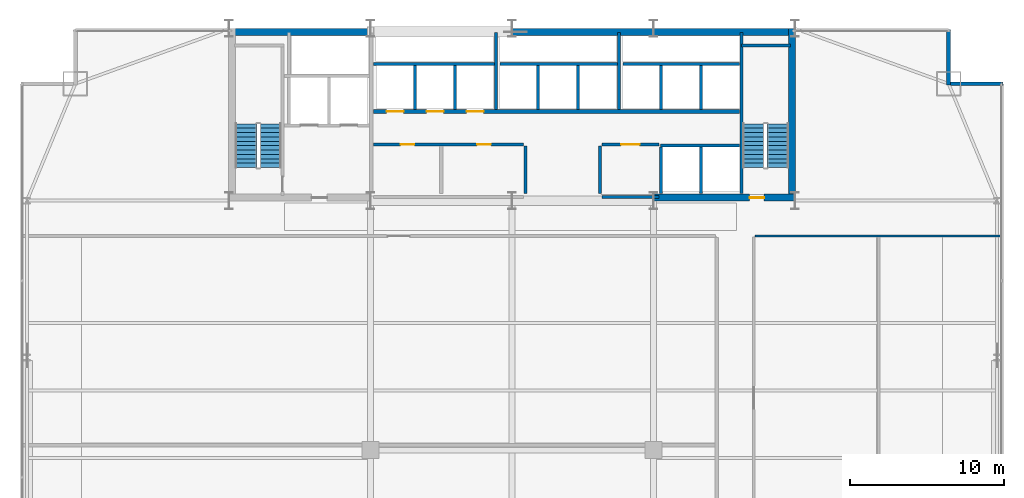
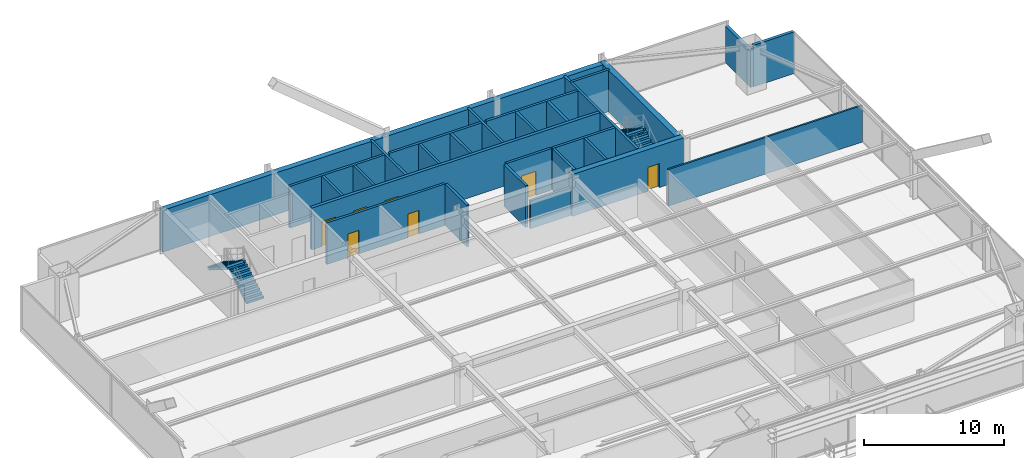
# One storey, part 31 of 34: 28 walls, 7 doors, 4 stair flights, 7 openings, 2 elements without a shape of their own.
"""IFC4 building model written with IfcOpenShell, lengths in metres."""

import ifcopenshell
import ifcopenshell.guid

model = None  # the IFC model being written
_history = None  # IfcOwnerHistory: only IFC2X3 demands one
_inside = {}  # id of a spatial element -> (the spatial element, [elements in it])
_under = {}  # id of a project, library or spatial element -> (it, [spatial elements below it])
_declared = {}  # id of a project -> (the project, [libraries it declares])
_typed = {}  # id of a type object -> (the type object, [elements of that type])
_made_of = {}  # id of a material, layer set ... -> (it, [elements and type objects made of it])


def new_model(schema):
    """Start an empty IFC model of exactly this schema.

    Asked for "IFC4X3", IfcOpenShell would pick the latest addendum, in which some entities
    have other attributes; the version numbers below select the first issue.
    IFC2X3 requires an IfcOwnerHistory on every rooted entity: one is made here for all.
    """
    global model, _history
    if schema == "IFC4X3":
        model = ifcopenshell.file(schema_version=(4, 3, 0, 0))
    else:
        model = ifcopenshell.file(schema=schema)
    _inside.clear()
    _under.clear()
    _declared.clear()
    _typed.clear()
    _made_of.clear()
    _history = None
    if model.schema == "IFC2X3":
        org = make("IfcOrganization", Name="unknown")
        user = make(
            "IfcPersonAndOrganization",
            ThePerson=make("IfcPerson", FamilyName="unknown"),
            TheOrganization=org,
        )
        app = make(
            "IfcApplication",
            ApplicationDeveloper=org,
            Version="unknown",
            ApplicationFullName="unknown",
            ApplicationIdentifier="unknown",
        )
        _history = make(
            "IfcOwnerHistory",
            OwningUser=user,
            OwningApplication=app,
            ChangeAction="ADDED",
            CreationDate=0,
        )
    return model


def make(cls, **values):
    """One entity of the class cls with the attributes given. An attribute that is None is left unset."""
    return model.create_entity(
        cls, **{name: value for name, value in values.items() if value is not None}
    )


def rooted(cls, **values):
    """An entity with a GlobalId (a new one), such as an element, a storey or a relation."""
    return make(cls, GlobalId=ifcopenshell.guid.new(), OwnerHistory=_history, **values)


def si_unit(unit_type, name, prefix=None):
    """IfcSIUnit, for example si_unit("LENGTHUNIT", "METRE", prefix="MILLI")."""
    return make("IfcSIUnit", UnitType=unit_type, Prefix=prefix, Name=name)


def assignment(units):
    """IfcUnitAssignment: the units of a project."""
    return None if units is None else make("IfcUnitAssignment", Units=units)


def point(xyz):
    """IfcCartesianPoint."""
    return None if xyz is None else make("IfcCartesianPoint", Coordinates=xyz)


def direction(xyz):
    """IfcDirection."""
    return None if xyz is None else make("IfcDirection", DirectionRatios=xyz)


def frame(location, z_axis=None, x_axis=None):
    """IfcAxis2Placement3D, a coordinate frame: its origin and axes. An axis left out is left unset."""
    return make(
        "IfcAxis2Placement3D",
        Location=point(location),
        Axis=direction(z_axis),
        RefDirection=direction(x_axis),
    )


def frame_2d(location, x_axis=None):
    """IfcAxis2Placement2D, a coordinate frame in the plane: its origin and x axis."""
    return make(
        "IfcAxis2Placement2D", Location=point(location), RefDirection=direction(x_axis)
    )


def origin():
    """The frame at (0, 0, 0) with its axes left unset."""
    return frame((0.0, 0.0, 0.0))


def place(relative_to, where):
    """IfcLocalPlacement: puts the frame where relative to a parent placement (None: the world)."""
    return make(
        "IfcLocalPlacement", PlacementRelTo=relative_to, RelativePlacement=where
    )


def context(
    kind, dimensions, precision=None, world=None, true_north=None, identifier=None
):
    """IfcGeometricRepresentationContext, for example the 3D "Model" context."""
    return make(
        "IfcGeometricRepresentationContext",
        ContextIdentifier=identifier,
        ContextType=kind,
        CoordinateSpaceDimension=dimensions,
        Precision=precision,
        WorldCoordinateSystem=world,
        TrueNorth=true_north,
    )


def subcontext(parent, identifier, kind, view, scale=None):
    """IfcGeometricRepresentationSubContext, for example "Body" below "Model"."""
    return make(
        "IfcGeometricRepresentationSubContext",
        ContextIdentifier=identifier,
        ContextType=kind,
        ParentContext=parent,
        TargetScale=scale,
        TargetView=view,
    )


def project(units=None, contexts=None):
    """IfcProject with its units and contexts."""
    return rooted(
        "IfcProject",
        Name="project",
        RepresentationContexts=contexts,
        UnitsInContext=assignment(units),
    )


def spatial(cls, under=None, at=None, **own):
    """A site, building, storey or space (cls), placed at a placement, below another one or the project."""
    s = rooted(cls, ObjectPlacement=at, **own)
    if under is not None:
        _under.setdefault(under.id(), (under, []))[1].append(s)
    return s


def polyline(points):
    """IfcPolyline through the points."""
    return make("IfcPolyline", Points=[point(p) for p in points])


def profile(cls, at=None, kind="AREA", **sizes):
    """A parametric profile (cls). Its sizes go by their IFC names, for example OverallWidth=200.0."""
    return make(cls, ProfileType=kind, Position=at, **sizes)


def rectangle(**sizes):
    """IfcRectangleProfileDef."""
    return profile("IfcRectangleProfileDef", **sizes)


def outline(outer, holes=None, kind="AREA"):
    """IfcArbitraryClosedProfileDef: a profile drawn as a closed curve; with holes, ...WithVoids."""
    if holes is None:
        return make("IfcArbitraryClosedProfileDef", ProfileType=kind, OuterCurve=outer)
    return make(
        "IfcArbitraryProfileDefWithVoids",
        ProfileType=kind,
        OuterCurve=outer,
        InnerCurves=holes,
    )


def extrude(swept, where, along, depth):
    """IfcExtrudedAreaSolid: the profile swept, set in the frame where, extruded along a direction by depth."""
    return make(
        "IfcExtrudedAreaSolid",
        SweptArea=swept,
        Position=where,
        ExtrudedDirection=direction(along),
        Depth=depth,
    )


def shape(context_of_items, identifier, shape_type, items):
    """IfcShapeRepresentation: the items that make up one representation, for example the "Body"."""
    return make(
        "IfcShapeRepresentation",
        ContextOfItems=context_of_items,
        RepresentationIdentifier=identifier,
        RepresentationType=shape_type,
        Items=items,
    )


def source(mapping_origin, context_of_items, identifier, shape_type, items):
    """IfcRepresentationMap: a shape defined once, which mapped items show again and again."""
    return make(
        "IfcRepresentationMap",
        MappingOrigin=mapping_origin,
        MappedRepresentation=shape(context_of_items, identifier, shape_type, items),
    )


def transform(
    local_origin,
    x_axis=None,
    y_axis=None,
    z_axis=None,
    scale=None,
    scale2=None,
    scale3=None,
    uniform=True,
):
    """IfcCartesianTransformationOperator3D, or its non-uniform kind. x_axis, y_axis, z_axis: its Axis1, 2, 3."""
    if uniform:
        return make(
            "IfcCartesianTransformationOperator3D",
            Axis1=direction(x_axis),
            Axis2=direction(y_axis),
            LocalOrigin=point(local_origin),
            Scale=scale,
            Axis3=direction(z_axis),
        )
    return make(
        "IfcCartesianTransformationOperator3DnonUniform",
        Axis1=direction(x_axis),
        Axis2=direction(y_axis),
        LocalOrigin=point(local_origin),
        Scale=scale,
        Axis3=direction(z_axis),
        Scale2=scale2,
        Scale3=scale3,
    )


def mapped(mapping_source, mapping_target):
    """IfcMappedItem: shows the shape of a source again, moved by a transform."""
    return make(
        "IfcMappedItem", MappingSource=mapping_source, MappingTarget=mapping_target
    )


def material(Name=None, Category=None):
    """IfcMaterial."""
    return make("IfcMaterial", Name=Name, Category=Category)


def layer(
    of_material, thickness, ventilated=None, Name=None, Category=None, Priority=None
):
    """IfcMaterialLayer: one layer of a wall or slab, of a material (None: an air gap)."""
    return make(
        "IfcMaterialLayer",
        Material=of_material,
        LayerThickness=thickness,
        IsVentilated=ventilated,
        Name=Name,
        Category=Category,
        Priority=Priority,
    )


def layer_set(layers, Name=None):
    """IfcMaterialLayerSet."""
    return make("IfcMaterialLayerSet", MaterialLayers=layers, LayerSetName=Name)


def made_of(thing, what):
    """Note that an element or type object is made of a material, layer set ...; save() writes the relation."""
    if what is not None:
        _made_of.setdefault(what.id(), (what, []))[1].append(thing)
    return thing


def type_object(cls, material=None, **own):
    """A type object (cls), such as IfcWallType, which elements share."""
    return made_of(rooted(cls, **own), material)


def type_shapes(of_type, sources):
    """Give a type object the sources (RepresentationMaps) that its elements show as mapped items."""
    of_type.RepresentationMaps = sources


def element(
    cls,
    number,
    at=None,
    inside=None,
    cuts=None,
    type_object=None,
    material=None,
    context=None,
    identifier="Body",
    shape_type=None,
    held_by="IfcProductDefinitionShape",
    body=None,
    shapes=None,
    **own,
):
    """One element of the class cls, such as IfcWall. Its Tag is "e" and its number.

    at: its placement. inside: the storey or other place that contains it. cuts: it is an
    opening in that element (IfcRelVoidsElement). A single representation is given by context,
    identifier, shape_type and body (its items); several are given by shapes. held_by: the class
    of the entity that holds the representations. save() writes the other relations.
    """
    e = rooted(cls, Tag="e%d" % number, ObjectPlacement=at, **own)
    if body is not None:
        shapes = [shape(context, identifier, shape_type, body)]
    if shapes is not None:
        e.Representation = make(held_by, Representations=shapes)
    if inside is not None:
        _inside.setdefault(inside.id(), (inside, []))[1].append(e)
    if cuts is not None:
        rooted(
            "IfcRelVoidsElement", RelatingBuildingElement=cuts, RelatedOpeningElement=e
        )
    if type_object is not None:
        _typed.setdefault(type_object.id(), (type_object, []))[1].append(e)
    return made_of(e, material)


def fill(opening, filler):
    """IfcRelFillsElement: the door or window that sits in an opening."""
    return rooted(
        "IfcRelFillsElement",
        RelatingOpeningElement=opening,
        RelatedBuildingElement=filler,
    )


def aggregate(whole, parts):
    """IfcRelAggregates: a whole, such as a stair, and the parts it consists of."""
    return rooted("IfcRelAggregates", RelatingObject=whole, RelatedObjects=parts)


def save(model, path):
    """Write the relations noted so far, then the file.

    IfcRelAggregates (storeys below a building ...), IfcRelContainedInSpatialStructure (elements
    in a storey), IfcRelDefinesByType, IfcRelAssociatesMaterial and IfcRelDeclares: one each for
    every whole, place, type object, material and project.
    """
    for whole, parts in _under.values():
        aggregate(whole, parts)
    for where, things in _inside.values():
        rooted(
            "IfcRelContainedInSpatialStructure",
            RelatedElements=things,
            RelatingStructure=where,
        )
    for kind, things in _typed.values():
        rooted("IfcRelDefinesByType", RelatedObjects=things, RelatingType=kind)
    for what, things in _made_of.values():
        rooted("IfcRelAssociatesMaterial", RelatedObjects=things, RelatingMaterial=what)
    for by, libraries in _declared.values():
        rooted("IfcRelDeclares", RelatingContext=by, RelatedDefinitions=libraries)
    model.write(path)


model = new_model("IFC4")

# Units and contexts
model_context = context("Model", 3, precision=1e-05, world=origin(), true_north=direction((0.0, 1.0)))
body_context = subcontext(model_context, "Body", "Model", "MODEL_VIEW")
ifc_project = project(units=[si_unit("LENGTHUNIT", "METRE"), si_unit("AREAUNIT", "SQUARE_METRE"), si_unit("VOLUMEUNIT", "CUBIC_METRE"), si_unit("PLANEANGLEUNIT", "RADIAN"), si_unit("MASSUNIT", "GRAM", prefix="KILO")], contexts=[model_context])

# Site, building, storey
site_placement = place(None, origin())
site = spatial("IfcSite", under=ifc_project, at=site_placement, CompositionType="ELEMENT")
building_placement = place(site_placement, origin())
building = spatial("IfcBuilding", under=site, at=building_placement, Name="Varnel Quay Broadcast Tower", CompositionType="ELEMENT")
storey_placement = place(building_placement, frame((0.0, 0.0, 47.10009765625)))
storey = spatial("IfcBuildingStorey", under=building, at=storey_placement, Name="L10", CompositionType="ELEMENT", Elevation=47.10009765625)

# Walls
ifc_material_1 = material(Name="Concrete CSA A23.3 C50/60", Category="concrete")
ifc_layer_1 = layer(ifc_material_1, 0.199951171875, Name="Concrete CSA A23.3 C50/60")
ifc_layer_set_1 = layer_set([ifc_layer_1], Name="Concrete CSA A23.3 C50/60")
wall_type_1 = type_object("IfcWallType", Name="Wall_CoreShaftShear200", PredefinedType="SHEAR", material=ifc_layer_set_1)
wall_1_placement = place(storey_placement, frame((48.919921875, 36.050048828125, 0.0), z_axis=(0.0, 0.0, 1.0), x_axis=(0.0, 1.0, 0.0)))
element("IfcWall", 1, at=wall_1_placement, inside=storey, type_object=wall_type_1, Name="L10 Stair 2 West Structural Wall", PredefinedType="SHEAR", context=body_context, shape_type="SweptSolid", body=[
    extrude(rectangle(XDim=10.5, YDim=0.199951171875, at=frame_2d((5.25, 0.0))), origin(), (0.0, 0.0, 1.0), 3.64990234375),
])
wall_2_placement = place(storey_placement, frame((48.919921875, 45.679931640625, 0.0), z_axis=(0.0, 0.0, 1.0), x_axis=(1.0, 0.0, 0.0)))
element("IfcWall", 2, at=wall_2_placement, inside=storey, type_object=wall_type_1, Name="L10 Stair 2 North Structural Wall", PredefinedType="SHEAR", context=body_context, shape_type="SweptSolid", body=[
    extrude(rectangle(XDim=3.18017578125, YDim=0.199951171875, at=frame_2d((1.590087890625, 0.0))), origin(), (0.0, 0.0, 1.0), 3.64990234375),
])
wall_3_placement = place(storey_placement, frame((24.97998046875, 44.5, 0.0), z_axis=(0.0, 0.0, 1.0), x_axis=(1.0, 0.0, 0.0)))
element("IfcWall", 3, at=wall_3_placement, inside=storey, type_object=wall_type_1, Name="L10 Low-Rise Lift Shaft Rear Wall", PredefinedType="SHEAR", context=body_context, shape_type="SweptSolid", body=[
    extrude(rectangle(XDim=7.8701171875, YDim=0.199951171875, at=frame_2d((3.93505859375, 0.0))), origin(), (0.0, 0.0, 1.0), 3.64990234375),
])
for number, where, z_axis, x_axis, name in (
    (4, (27.699951171875, 41.530029296875, 0.0), (0.0, 0.0, 1.0), (0.0, 1.0, 0.0), "L10 Low-Rise Lift Shaft Divider 1"),
    (5, (30.300048828125, 41.530029296875, 0.0), (0.0, 0.0, 1.0), (0.0, 1.0, 0.0), "L10 Low-Rise Lift Shaft Divider 2"),
):
    element("IfcWall", number, at=place(storey_placement, frame(where, z_axis=z_axis, x_axis=x_axis)), inside=storey, type_object=wall_type_1, Name=name, PredefinedType="SHEAR", context=body_context, shape_type="SweptSolid", body=[
        extrude(rectangle(XDim=2.869873046875, YDim=0.199951171875, at=frame_2d((1.43505859375, 0.0))), origin(), (0.0, 0.0, 1.0), 3.64990234375),
    ])
wall_4_placement = place(storey_placement, frame((32.949951171875, 41.530029296875, 0.0), z_axis=(0.0, 0.0, 1.0), x_axis=(0.0, 1.0, 0.0)))
element("IfcWall", 6, at=wall_4_placement, inside=storey, type_object=wall_type_1, Name="L10 Low-Rise Lift Shaft Divider 3", PredefinedType="SHEAR", context=body_context, shape_type="SweptSolid", body=[
    extrude(rectangle(XDim=5.02001953125, YDim=0.199951171875, at=frame_2d((2.510009765625, 0.0))), origin(), (0.0, 0.0, 1.0), 3.64990234375),
])
wall_5_placement = place(storey_placement, frame((33.219970703125, 44.5, 0.0), z_axis=(0.0, 0.0, 1.0), x_axis=(1.0, 0.0, 0.0)))
element("IfcWall", 7, at=wall_5_placement, inside=storey, type_object=wall_type_1, Name="L10 Mid-Rise Lift Shaft Rear Wall", PredefinedType="SHEAR", context=body_context, shape_type="SweptSolid", body=[
    extrude(rectangle(XDim=7.630126953125, YDim=0.199951171875, at=frame_2d((3.81494140625, 0.0))), origin(), (0.0, 0.0, 1.0), 3.64990234375),
])
for number, where, z_axis, x_axis, name in (
    (8, (35.699951171875, 41.530029296875, 0.0), (0.0, 0.0, 1.0), (0.0, 1.0, 0.0), "L10 Mid-Rise Lift Shaft Divider 2"),
    (9, (38.300048828125, 41.530029296875, 0.0), (0.0, 0.0, 1.0), (0.0, 1.0, 0.0), "L10 Mid-Rise Lift Shaft Divider 3"),
):
    element("IfcWall", number, at=place(storey_placement, frame(where, z_axis=z_axis, x_axis=x_axis)), inside=storey, type_object=wall_type_1, Name=name, PredefinedType="SHEAR", context=body_context, shape_type="SweptSolid", body=[
        extrude(rectangle(XDim=2.869873046875, YDim=0.199951171875, at=frame_2d((1.43505859375, 0.0))), origin(), (0.0, 0.0, 1.0), 3.64990234375),
    ])
wall_6_placement = place(storey_placement, frame((40.949951171875, 41.530029296875, 0.0), z_axis=(0.0, 0.0, 1.0), x_axis=(0.0, 1.0, 0.0)))
element("IfcWall", 10, at=wall_6_placement, inside=storey, type_object=wall_type_1, Name="L10 Mid-Rise Lift Shaft Divider 4", PredefinedType="SHEAR", context=body_context, shape_type="SweptSolid", body=[
    extrude(rectangle(XDim=5.02001953125, YDim=0.199951171875, at=frame_2d((2.510009765625, 0.0))), origin(), (0.0, 0.0, 1.0), 3.64990234375),
])
wall_7_placement = place(storey_placement, frame((41.219970703125, 44.5, 0.0), z_axis=(0.0, 0.0, 1.0), x_axis=(1.0, 0.0, 0.0)))
element("IfcWall", 11, at=wall_7_placement, inside=storey, type_object=wall_type_1, Name="L10 High-Rise Lift Shaft Rear Wall", PredefinedType="SHEAR", context=body_context, shape_type="SweptSolid", body=[
    extrude(rectangle(XDim=7.580078125, YDim=0.199951171875, at=frame_2d((3.7900390625, 0.0))), origin(), (0.0, 0.0, 1.0), 3.64990234375),
])
for number, where, z_axis, x_axis, name in (
    (12, (43.699951171875, 41.530029296875, 0.0), (0.0, 0.0, 1.0), (0.0, 1.0, 0.0), "L10 High-Rise Lift Shaft Divider 2"),
    (13, (46.300048828125, 41.530029296875, 0.0), (0.0, 0.0, 1.0), (0.0, 1.0, 0.0), "L10 High-Rise Lift Shaft Divider 3"),
):
    element("IfcWall", number, at=place(storey_placement, frame(where, z_axis=z_axis, x_axis=x_axis)), inside=storey, type_object=wall_type_1, Name=name, PredefinedType="SHEAR", context=body_context, shape_type="SweptSolid", body=[
        extrude(rectangle(XDim=2.869873046875, YDim=0.199951171875, at=frame_2d((1.43505859375, 0.0))), origin(), (0.0, 0.0, 1.0), 3.64990234375),
    ])
for number, where, z_axis, x_axis, name in (
    (14, (43.699951171875, 36.050048828125, 0.0), (0.0, 0.0, 1.0), (0.0, 1.0, 0.0), "L10 Express Lift Shaft West Wall"),
    (15, (46.300048828125, 36.050048828125, 0.0), (0.0, 0.0, 1.0), (0.0, 1.0, 0.0), "L10 Express Lift Shaft Divider"),
):
    element("IfcWall", number, at=place(storey_placement, frame(where, z_axis=z_axis, x_axis=x_axis)), inside=storey, type_object=wall_type_1, Name=name, PredefinedType="SHEAR", context=body_context, shape_type="SweptSolid", body=[
        extrude(rectangle(XDim=3.050048828125, YDim=0.199951171875, at=frame_2d((1.52490234375, 0.0))), origin(), (0.0, 0.0, 1.0), 3.64990234375),
    ])
wall_8_placement = place(storey_placement, frame((43.64990234375, 39.199951171875, 0.0), z_axis=(0.0, 0.0, 1.0), x_axis=(1.0, 0.0, 0.0)))
element("IfcWall", 16, at=wall_8_placement, inside=storey, type_object=wall_type_1, Name="L10 Express Lift Shaft North Front Wall", PredefinedType="SHEAR", context=body_context, shape_type="SweptSolid", body=[
    extrude(rectangle(XDim=5.150146484375, YDim=0.199951171875, at=frame_2d((2.5751953125, 0.0))), origin(), (0.0, 0.0, 1.0), 3.64990234375),
])

# Wall, openings, doors
ifc_layer_2 = layer(ifc_material_1, 0.25, Name="Concrete CSA A23.3 C50/60")
ifc_layer_set_2 = layer_set([ifc_layer_2], Name="Concrete CSA A23.3 C50/60")
wall_type_2 = type_object("IfcWallType", Name="Wall_CoreShaftShear250", PredefinedType="SHEAR", material=ifc_layer_set_2)
wall_9_placement = place(storey_placement, frame((24.97998046875, 41.39990234375, 0.0), z_axis=(0.0, 0.0, 1.0), x_axis=(1.0, 0.0, 0.0)))
wall_9 = element("IfcWall", 17, at=wall_9_placement, inside=storey, type_object=wall_type_2, Name="L10 North Lift Bank & Reclaimed Suite Wall", PredefinedType="SHEAR", context=body_context, shape_type="SweptSolid", body=[
    extrude(rectangle(XDim=23.820068359375, YDim=0.25, at=frame_2d((11.91015625, 0.0))), origin(), (0.0, 0.0, 1.0), 3.64990234375),
])
opening_1_placement = place(wall_9_placement, frame((0.8701171875, 0.0, 0.0)))
opening_1 = element("IfcOpeningElement", 18, at=opening_1_placement, cuts=wall_9, Name="Opening LD-L10-PL-01", PredefinedType="OPENING", context=body_context, shape_type="SweptSolid", body=[
    extrude(rectangle(XDim=1.10009765625, YDim=2.179931640625, at=frame_2d((0.550048828125, 1.08984375))), frame((0.0, 0.135009765625, 0.0), z_axis=(0.0, -1.0, 0.0), x_axis=(1.0, 0.0, 0.0)), (0.0, 0.0, 1.0), 0.27001953125),
])
opening_2_placement = place(wall_9_placement, frame((3.469970703125, 0.0, 0.0)))
opening_2 = element("IfcOpeningElement", 19, at=opening_2_placement, cuts=wall_9, Name="Opening LD-L10-PL-02", PredefinedType="OPENING", context=body_context, shape_type="SweptSolid", body=[
    extrude(rectangle(XDim=1.10009765625, YDim=2.179931640625, at=frame_2d((0.550048828125, 1.08984375))), frame((0.0, 0.135009765625, 0.0), z_axis=(0.0, -1.0, 0.0), x_axis=(1.0, 0.0, 0.0)), (0.0, 0.0, 1.0), 0.27001953125),
])
opening_3_placement = place(wall_9_placement, frame((6.070068359375, 0.0, 0.0)))
opening_3 = element("IfcOpeningElement", 20, at=opening_3_placement, cuts=wall_9, Name="Opening LD-L10-PL-03", PredefinedType="OPENING", context=body_context, shape_type="SweptSolid", body=[
    extrude(rectangle(XDim=1.10009765625, YDim=2.179931640625, at=frame_2d((0.550048828125, 1.08984375))), frame((0.0, 0.135009765625, 0.0), z_axis=(0.0, -1.0, 0.0), x_axis=(1.0, 0.0, 0.0)), (0.0, 0.0, 1.0), 0.27001953125),
])
ifc_material_2 = material(Name="Brushed Bronze-Stainless Lift Car & Sliding Doors", Category="steel")
door_type_1 = type_object("IfcDoorType", Name="Door_LiftLanding1100", OperationType="SLIDING_TO_LEFT", PredefinedType="DOOR", material=ifc_material_2)
shared_shape_1 = source(origin(), body_context, "Body", "SweptSolid", [
    extrude(rectangle(XDim=1.10009765625, YDim=2.179931640625, at=frame_2d((0.550048828125, 1.08984375))), frame((0.0, 0.02490234375, 0.0), z_axis=(0.0, -1.0, 0.0), x_axis=(1.0, 0.0, 0.0)), (0.0, 0.0, 1.0), 0.050048828125),
])
type_shapes(door_type_1, [shared_shape_1])
door_1_placement = place(opening_1_placement, frame((1.10009765625, 0.0, 0.0), z_axis=(0.0, 0.0, 1.0), x_axis=(-1.0, 0.0, 0.0)))
door_1 = element("IfcDoor", 21, at=door_1_placement, inside=storey, type_object=door_type_1, Name="L10 Lift PL-01 Landing Door", OperationType="SLIDING_TO_LEFT", OverallHeight=2.179931640625, OverallWidth=1.10009765625, PredefinedType="DOOR", context=body_context, shape_type="MappedRepresentation", body=[
    mapped(shared_shape_1, transform((0.0, 0.0, 0.0), x_axis=(1.0, 0.0, 0.0), y_axis=(0.0, 1.0, 0.0), z_axis=(0.0, 0.0, 1.0), scale=1.0)),
])
fill(opening_1, door_1)
door_2_placement = place(opening_2_placement, frame((1.10009765625, 0.0, 0.0), z_axis=(0.0, 0.0, 1.0), x_axis=(-1.0, 0.0, 0.0)))
door_2 = element("IfcDoor", 22, at=door_2_placement, inside=storey, type_object=door_type_1, Name="L10 Lift PL-02 Landing Door", OperationType="SLIDING_TO_LEFT", OverallHeight=2.179931640625, OverallWidth=1.10009765625, PredefinedType="DOOR", context=body_context, shape_type="MappedRepresentation", body=[
    mapped(shared_shape_1, transform((0.0, 0.0, 0.0), x_axis=(1.0, 0.0, 0.0), y_axis=(0.0, 1.0, 0.0), z_axis=(0.0, 0.0, 1.0), scale=1.0)),
])
fill(opening_2, door_2)
door_3_placement = place(opening_3_placement, frame((1.10009765625, 0.0, 0.0), z_axis=(0.0, 0.0, 1.0), x_axis=(-1.0, 0.0, 0.0)))
door_3 = element("IfcDoor", 23, at=door_3_placement, inside=storey, type_object=door_type_1, Name="L10 Lift PL-03 Landing Door", OperationType="SLIDING_TO_LEFT", OverallHeight=2.179931640625, OverallWidth=1.10009765625, PredefinedType="DOOR", context=body_context, shape_type="MappedRepresentation", body=[
    mapped(shared_shape_1, transform((0.0, 0.0, 0.0), x_axis=(1.0, 0.0, 0.0), y_axis=(0.0, 1.0, 0.0), z_axis=(0.0, 0.0, 1.0), scale=1.0)),
])
fill(opening_3, door_3)

# Walls
ifc_material_3 = material(Name="Concrete CSA A23.3 C60/75", Category="concrete")
ifc_layer_3 = layer(ifc_material_3, 0.449951171875, Name="Concrete CSA A23.3 C60/75")
ifc_layer_set_3 = layer_set([ifc_layer_3], Name="Concrete CSA A23.3 C60/75")
wall_type_3 = type_object("IfcWallType", Name="Wall_CoreShearExt450", PredefinedType="SHEAR", material=ifc_layer_set_3)
wall_10_placement = place(storey_placement, frame((15.60009765625, 46.574951171875, 0.0), z_axis=(0.0, 0.0, 1.0), x_axis=(1.0, 0.0, 0.0)))
element("IfcWall", 24, at=wall_10_placement, inside=storey, type_object=wall_type_3, Name="L10 North Core Shear Wall", PredefinedType="SHEAR", context=body_context, shape_type="SweptSolid", body=[
    extrude(rectangle(XDim=36.7998046875, YDim=0.449951171875, at=frame_2d((18.39990234375, 0.0))), origin(), (0.0, 0.0, 1.0), 3.64990234375),
])
ifc_layer_4 = layer(ifc_material_3, 0.449951171875, Name="Concrete CSA A23.3 C60/75")
ifc_layer_set_4 = layer_set([ifc_layer_4], Name="Concrete CSA A23.3 C60/75")
wall_type_4 = type_object("IfcWallType", Name="Wall_CoreShearInt450", PredefinedType="SHEAR", material=ifc_layer_set_4)
wall_11_placement = place(storey_placement, frame((52.205078125, 35.570068359375, 0.0), z_axis=(0.0, 0.0, 1.0), x_axis=(0.0, 1.0, 0.0)))
element("IfcWall", 25, at=wall_11_placement, inside=storey, type_object=wall_type_4, Name="L10 East Core Shear Wall", PredefinedType="SHEAR", context=body_context, shape_type="SweptSolid", body=[
    extrude(rectangle(XDim=11.22998046875, YDim=0.449951171875, at=frame_2d((5.614990234375, 0.0))), origin(), (0.0, 0.0, 1.0), 3.64990234375),
])

# Wall, opening, door
wall_12_placement = place(storey_placement, frame((43.199951171875, 35.794921875, 0.0), z_axis=(0.0, 0.0, 1.0), x_axis=(1.0, 0.0, 0.0)))
wall_12 = element("IfcWall", 26, at=wall_12_placement, inside=storey, type_object=wall_type_4, Name="L10 South-East Core Shear Wall", PredefinedType="SHEAR", context=body_context, shape_type="SweptSolid", body=[
    extrude(rectangle(XDim=9.22998046875, YDim=0.449951171875, at=frame_2d((4.614990234375, 0.0))), origin(), (0.0, 0.0, 1.0), 3.64990234375),
])
opening_4_placement = place(wall_12_placement, frame((6.25, 0.0, 0.0)))
opening_4 = element("IfcOpeningElement", 27, at=opening_4_placement, cuts=wall_12, Name="Opening D-L10-S2", PredefinedType="OPENING", context=body_context, shape_type="SweptSolid", body=[
    extrude(rectangle(XDim=0.949951171875, YDim=2.10009765625, at=frame_2d((0.47509765625, 1.050048828125))), frame((0.0, 0.23486328125, 0.0), z_axis=(0.0, -1.0, 0.0), x_axis=(1.0, 0.0, 0.0)), (0.0, 0.0, 1.0), 0.469970703125),
])
ifc_material_4 = material(Name="Insulated Fire-Rated Hollow Steel Door", Category="steel")
door_type_2 = type_object("IfcDoorType", Name="Door_FireStair950", OperationType="NOTDEFINED", PredefinedType="DOOR", material=ifc_material_4)
shared_shape_2 = source(origin(), body_context, "Body", "SweptSolid", [
    extrude(rectangle(XDim=0.949951171875, YDim=2.10009765625, at=frame_2d((0.47509765625, 1.050048828125))), frame((0.0, 0.02490234375, 0.0), z_axis=(0.0, -1.0, 0.0), x_axis=(1.0, 0.0, 0.0)), (0.0, 0.0, 1.0), 0.050048828125),
])
type_shapes(door_type_2, [shared_shape_2])
door_4_placement = place(opening_4_placement, origin())
door_4 = element("IfcDoor", 28, at=door_4_placement, inside=storey, type_object=door_type_2, Name="L10 Stair 2 Fire Door", OperationType="SINGLE_SWING_RIGHT", OverallHeight=2.10009765625, OverallWidth=0.949951171875, PredefinedType="DOOR", context=body_context, shape_type="MappedRepresentation", body=[
    mapped(shared_shape_2, transform((0.0, 0.0, 0.0), x_axis=(1.0, 0.0, 0.0), y_axis=(0.0, 1.0, 0.0), z_axis=(0.0, 0.0, 1.0), scale=1.0)),
])
fill(opening_4, door_4)

# Walls
ifc_material_5 = material(Name="Precast Architectural Concrete C40/50", Category="concrete")
ifc_layer_5 = layer(ifc_material_5, 0.25, Name="Precast Architectural Concrete C40/50")
ifc_layer_set_5 = layer_set([ifc_layer_5], Name="Precast Architectural Concrete C40/50")
wall_type_5 = type_object("IfcWallType", Name="Wall_ExtTerrace250", PredefinedType="SOLIDWALL", material=ifc_layer_set_5)
wall_13_placement = place(storey_placement, frame((62.530029296875, 43.199951171875, 0.0), z_axis=(0.0, 0.0, 1.0), x_axis=(1.0, 0.0, 0.0)))
element("IfcWall", 29, at=wall_13_placement, inside=storey, type_object=wall_type_5, Name="L10 Mega-Column Notch Cladding Wall NNE1", PredefinedType="SOLIDWALL", context=body_context, shape_type="SweptSolid", body=[
    extrude(rectangle(XDim=3.389892578125, YDim=0.25, at=frame_2d((1.69482421875, 0.0))), origin(), (0.0, 0.0, 1.0), 3.6298828125),
])
wall_14_placement = place(storey_placement, frame((62.39990234375, 43.1201171875, 0.0), z_axis=(0.0, 0.0, 1.0), x_axis=(0.0, 1.0, 0.0)))
element("IfcWall", 30, at=wall_14_placement, inside=storey, type_object=wall_type_5, Name="L10 Mega-Column Notch Cladding Wall NNE2", PredefinedType="SOLIDWALL", context=body_context, shape_type="SweptSolid", body=[
    extrude(rectangle(XDim=3.599853515625, YDim=0.25, at=frame_2d((1.7998046875, 0.0))), origin(), (0.0, 0.0, 1.0), 3.2080078125),
])
ifc_material_6 = material(Name="Concrete Blockwork Fire Enclosure C40/50", Category="masonry")
ifc_layer_6 = layer(ifc_material_6, 0.199951171875, Name="Concrete Blockwork Fire Enclosure C40/50")
ifc_layer_set_6 = layer_set([ifc_layer_6], Name="Concrete Blockwork Fire Enclosure C40/50")
wall_type_6 = type_object("IfcWallType", Name="Wall_FireShaft200", PredefinedType="SOLIDWALL", material=ifc_layer_set_6)
wall_15_placement = place(storey_placement, frame((39.85009765625, 35.824951171875, 0.0), z_axis=(0.0, 0.0, 1.0), x_axis=(1.0, 0.0, 0.0)))
element("IfcWall", 31, at=wall_15_placement, inside=storey, type_object=wall_type_6, Name="L10 Electrical Sub-Distribution Closet Partition 5", PredefinedType="SOLIDWALL", context=body_context, shape_type="SweptSolid", body=[
    extrude(rectangle(XDim=3.699951171875, YDim=0.199951171875, at=frame_2d((1.85009765625, 0.0))), origin(), (0.0, 0.0, 1.0), 2.4248046875),
])

# Wall, opening, door
wall_16_placement = place(storey_placement, frame((39.85009765625, 39.25, 0.0), z_axis=(0.0, 0.0, 1.0), x_axis=(1.0, 0.0, 0.0)))
wall_16 = element("IfcWall", 32, at=wall_16_placement, inside=storey, type_object=wall_type_6, Name="L10 Electrical Sub-Distribution Closet Partition 6", PredefinedType="SOLIDWALL", context=body_context, shape_type="SweptSolid", body=[
    extrude(rectangle(XDim=3.699951171875, YDim=0.199951171875, at=frame_2d((1.85009765625, 0.0))), origin(), (0.0, 0.0, 1.0), 3.6298828125),
])
opening_5_placement = place(wall_16_placement, frame((1.25, 0.0, 0.0)))
opening_5 = element("IfcOpeningElement", 33, at=opening_5_placement, cuts=wall_16, Name="Opening D-L10-03", PredefinedType="OPENING", context=body_context, shape_type="SweptSolid", body=[
    extrude(rectangle(XDim=1.199951171875, YDim=2.10009765625, at=frame_2d((0.60009765625, 1.050048828125))), frame((0.0, 0.10986328125, 0.0), z_axis=(0.0, -1.0, 0.0), x_axis=(1.0, 0.0, 0.0)), (0.0, 0.0, 1.0), 0.219970703125),
])
door_type_3 = type_object("IfcDoorType", Name="Door_Plant1200", OperationType="NOTDEFINED", PredefinedType="DOOR", material=ifc_material_4)
shared_shape_3 = source(origin(), body_context, "Body", "SweptSolid", [
    extrude(rectangle(XDim=1.199951171875, YDim=2.10009765625, at=frame_2d((0.60009765625, 1.050048828125))), frame((0.0, 0.02490234375, 0.0), z_axis=(0.0, -1.0, 0.0), x_axis=(1.0, 0.0, 0.0)), (0.0, 0.0, 1.0), 0.050048828125),
])
type_shapes(door_type_3, [shared_shape_3])
door_5_placement = place(opening_5_placement, origin())
door_5 = element("IfcDoor", 34, at=door_5_placement, inside=storey, type_object=door_type_3, Name="L10 Electrical Sub-Distribution Closet Door D-L10-03", OperationType="SINGLE_SWING_LEFT", OverallHeight=2.10009765625, OverallWidth=1.199951171875, PredefinedType="DOOR", context=body_context, shape_type="MappedRepresentation", body=[
    mapped(shared_shape_3, transform((0.0, 0.0, 0.0), x_axis=(1.0, 0.0, 0.0), y_axis=(0.0, 1.0, 0.0), z_axis=(0.0, 0.0, 1.0), scale=1.0)),
])
fill(opening_5, door_5)

# Walls
wall_17_placement = place(storey_placement, frame((39.72509765625, 36.050048828125, 0.0), z_axis=(0.0, 0.0, 1.0), x_axis=(0.0, 1.0, 0.0)))
element("IfcWall", 35, at=wall_17_placement, inside=storey, type_object=wall_type_6, Name="L10 Electrical Sub-Distribution Closet Partition 7", PredefinedType="SOLIDWALL", context=body_context, shape_type="SweptSolid", body=[
    extrude(rectangle(XDim=3.099853515625, YDim=0.199951171875, at=frame_2d((1.5498046875, 0.0))), origin(), (0.0, 0.0, 1.0), 3.6298828125),
])
ifc_material_7 = material(Name="Steel-Stud Fire-Rated Acoustic Gypsum Partition Assembly", Category="steel")
ifc_layer_7 = layer(ifc_material_7, 0.139892578125, Name="Steel-Stud Fire-Rated Acoustic Gypsum Partition Assembly")
ifc_layer_set_7 = layer_set([ifc_layer_7], Name="Steel-Stud Fire-Rated Acoustic Gypsum Partition Assembly")
wall_type_7 = type_object("IfcWallType", Name="Wall_Partition140", PredefinedType="PARTITIONING", material=ifc_layer_set_7)
wall_18_placement = place(storey_placement, frame((49.820068359375, 33.300048828125, 0.0), z_axis=(0.0, 0.0, 1.0), x_axis=(1.0, 0.0, 0.0)))
element("IfcWall", 36, at=wall_18_placement, inside=storey, type_object=wall_type_7, Name="L10 Talent Lounge 5 Partition 15", PredefinedType="PARTITIONING", context=body_context, shape_type="SweptSolid", body=[
    extrude(rectangle(XDim=16.0, YDim=0.139892578125, at=frame_2d((8.0, 0.0))), origin(), (0.0, 0.0, 1.0), 3.2080078125),
])

# Wall, openings, doors
ifc_material_8 = material(Name="Fire-Rated Moisture-Resistant Plumbing Chase Partition")
ifc_layer_8 = layer(ifc_material_8, 0.199951171875, Name="Fire-Rated Moisture-Resistant Plumbing Chase Partition")
ifc_layer_set_8 = layer_set([ifc_layer_8], Name="Fire-Rated Moisture-Resistant Plumbing Chase Partition")
wall_type_8 = type_object("IfcWallType", Name="Wall_Plumbing200", PredefinedType="PLUMBINGWALL", material=ifc_layer_set_8)
wall_19_placement = place(storey_placement, frame((25.0, 39.25, 0.0), z_axis=(0.0, 0.0, 1.0), x_axis=(1.0, 0.0, 0.0)))
wall_19 = element("IfcWall", 37, at=wall_19_placement, inside=storey, type_object=wall_type_8, Name="L10 Accessible Washroom Partition 3", PredefinedType="PLUMBINGWALL", context=body_context, shape_type="SweptSolid", body=[
    extrude(rectangle(XDim=9.75, YDim=0.199951171875, at=frame_2d((4.875, 0.0))), origin(), (0.0, 0.0, 1.0), 3.6298828125),
])
opening_6_placement = place(wall_19_placement, frame((1.75, 0.0, 0.0)))
opening_6 = element("IfcOpeningElement", 38, at=opening_6_placement, cuts=wall_19, Name="Opening D-L10-01", PredefinedType="OPENING", context=body_context, shape_type="SweptSolid", body=[
    extrude(rectangle(XDim=0.89990234375, YDim=2.06005859375, at=frame_2d((0.449951171875, 1.030029296875))), frame((0.0, 0.10986328125, 0.0), z_axis=(0.0, -1.0, 0.0), x_axis=(1.0, 0.0, 0.0)), (0.0, 0.0, 1.0), 0.219970703125),
])
opening_7_placement = place(wall_19_placement, frame((6.72509765625, 0.0, 0.0)))
opening_7 = element("IfcOpeningElement", 39, at=opening_7_placement, cuts=wall_19, Name="Opening D-L10-02", PredefinedType="OPENING", context=body_context, shape_type="SweptSolid", body=[
    extrude(rectangle(XDim=0.89990234375, YDim=2.06005859375, at=frame_2d((0.449951171875, 1.030029296875))), frame((0.0, 0.10986328125, 0.0), z_axis=(0.0, -1.0, 0.0), x_axis=(1.0, 0.0, 0.0)), (0.0, 0.0, 1.0), 0.219970703125),
])
ifc_material_9 = material(Name="Solid-Core Fire-Rated Acoustic Oak Veneer Door", Category="wood")
door_type_4 = type_object("IfcDoorType", Name="Door_Washroom900", OperationType="NOTDEFINED", PredefinedType="DOOR", material=ifc_material_9)
shared_shape_4 = source(origin(), body_context, "Body", "SweptSolid", [
    extrude(rectangle(XDim=0.89990234375, YDim=2.06005859375, at=frame_2d((0.449951171875, 1.030029296875))), frame((0.0, 0.02490234375, 0.0), z_axis=(0.0, -1.0, 0.0), x_axis=(1.0, 0.0, 0.0)), (0.0, 0.0, 1.0), 0.050048828125),
])
type_shapes(door_type_4, [shared_shape_4])
door_6_placement = place(opening_6_placement, frame((0.89990234375, 0.0, 0.0), z_axis=(0.0, 0.0, 1.0), x_axis=(-1.0, 0.0, 0.0)))
door_6 = element("IfcDoor", 40, at=door_6_placement, inside=storey, type_object=door_type_4, Name="L10 Accessible Washroom Door D-L10-01", OperationType="SINGLE_SWING_LEFT", OverallHeight=2.06005859375, OverallWidth=0.89990234375, PredefinedType="DOOR", context=body_context, shape_type="MappedRepresentation", body=[
    mapped(shared_shape_4, transform((0.0, 0.0, 0.0), x_axis=(1.0, 0.0, 0.0), y_axis=(0.0, 1.0, 0.0), z_axis=(0.0, 0.0, 1.0), scale=1.0)),
])
fill(opening_6, door_6)
door_7_placement = place(opening_7_placement, frame((0.89990234375, 0.0, 0.0), z_axis=(0.0, 0.0, 1.0), x_axis=(-1.0, 0.0, 0.0)))
door_7 = element("IfcDoor", 41, at=door_7_placement, inside=storey, type_object=door_type_4, Name="L10 Staff Washrooms Door D-L10-02", OperationType="SINGLE_SWING_RIGHT", OverallHeight=2.06005859375, OverallWidth=0.89990234375, PredefinedType="DOOR", context=body_context, shape_type="MappedRepresentation", body=[
    mapped(shared_shape_4, transform((0.0, 0.0, 0.0), x_axis=(1.0, 0.0, 0.0), y_axis=(0.0, 1.0, 0.0), z_axis=(0.0, 0.0, 1.0), scale=1.0)),
])
fill(opening_7, door_7)

# Wall
wall_20_placement = place(storey_placement, frame((34.875, 36.050048828125, 0.0), z_axis=(0.0, 0.0, 1.0), x_axis=(0.0, 1.0, 0.0)))
element("IfcWall", 42, at=wall_20_placement, inside=storey, type_object=wall_type_8, Name="L10 Staff Washrooms Partition 4", PredefinedType="PLUMBINGWALL", context=body_context, shape_type="SweptSolid", body=[
    extrude(rectangle(XDim=3.099853515625, YDim=0.199951171875, at=frame_2d((1.5498046875, 0.0))), origin(), (0.0, 0.0, 1.0), 3.6298828125),
])

# Stair, stair flights
ifc_material_10 = material(Name="Precast Structural Concrete C40/50", Category="concrete")
stair_type_1 = type_object("IfcStairType", Name="Stair_ST-01", PredefinedType="HALF_TURN_STAIR", material=ifc_material_10)
stair_1_placement = place(storey_placement, origin())
stair_1 = element("IfcStair", 43, at=stair_1_placement, inside=storey, type_object=stair_type_1, Name="L10 West Core Exit Stair 1", PredefinedType="HALF_TURN_STAIR")
stair_flight_type_1 = type_object("IfcStairFlightType", Name="Flight_ST-01", PredefinedType="STRAIGHT", material=ifc_material_10)
stair_flight_1_placement = place(storey_placement, frame((18.300048828125, 37.75, 0.0), z_axis=(0.0, 0.0, 1.0), x_axis=(0.0, 1.0, 0.0)))
stair_flight_1 = element("IfcStairFlight", 44, at=stair_flight_1_placement, type_object=stair_flight_type_1, Name="ST-01 flight 1", NumberOfRisers=11, NumberOfTreads=10, PredefinedType="STRAIGHT", RiserHeight=0.177272727, TreadLength=0.285, context=body_context, shape_type="SweptSolid", body=[
    extrude(outline(polyline([(0.0, 0.0), (0.0, 0.17724609375), (0.284912109375, 0.17724609375), (0.284912109375, 0.3544921875), (0.570068359375, 0.3544921875), (0.570068359375, 0.53173828125), (0.85498046875, 0.53173828125), (0.85498046875, 0.708984375), (1.139892578125, 0.708984375), (1.139892578125, 0.886474609375), (1.425048828125, 0.886474609375), (1.425048828125, 1.063720703125), (1.7099609375, 1.063720703125), (1.7099609375, 1.240966796875), (1.9951171875, 1.240966796875), (1.9951171875, 1.418212890625), (2.280029296875, 1.418212890625), (2.280029296875, 1.595458984375), (2.56494140625, 1.595458984375), (2.56494140625, 1.772705078125), (2.85009765625, 1.772705078125), (2.85009765625, 1.949951171875), (2.85009765625, 1.59619140625), (0.283935546875, 0.0), (0.0, 0.0)])), frame((0.0, 0.699951171875, 0.0), z_axis=(0.0, -1.0, 0.0), x_axis=(1.0, 0.0, 0.0)), (0.0, 0.0, 1.0), 1.39990234375),
])
stair_flight_2_placement = place(storey_placement, frame((16.699951171875, 40.60009765625, 1.949951171875), z_axis=(0.0, 0.0, 1.0), x_axis=(0.0, -1.0, 0.0)))
stair_flight_2 = element("IfcStairFlight", 45, at=stair_flight_2_placement, type_object=stair_flight_type_1, Name="ST-01 flight 2", NumberOfRisers=11, NumberOfTreads=10, PredefinedType="STRAIGHT", RiserHeight=0.177272727, TreadLength=0.285, context=body_context, shape_type="SweptSolid", body=[
    extrude(outline(polyline([(0.0, 0.0), (0.0, 0.17724609375), (0.284912109375, 0.17724609375), (0.284912109375, 0.3544921875), (0.570068359375, 0.3544921875), (0.570068359375, 0.53173828125), (0.85498046875, 0.53173828125), (0.85498046875, 0.708984375), (1.139892578125, 0.708984375), (1.139892578125, 0.886474609375), (1.425048828125, 0.886474609375), (1.425048828125, 1.063720703125), (1.7099609375, 1.063720703125), (1.7099609375, 1.240966796875), (1.9951171875, 1.240966796875), (1.9951171875, 1.418212890625), (2.280029296875, 1.418212890625), (2.280029296875, 1.595458984375), (2.56494140625, 1.595458984375), (2.56494140625, 1.772705078125), (2.85009765625, 1.772705078125), (2.85009765625, 1.949951171875), (2.85009765625, 1.59619140625), (0.283935546875, 0.0), (0.0, 0.0)])), frame((0.0, 0.699951171875, 0.0), z_axis=(0.0, -1.0, 0.0), x_axis=(1.0, 0.0, 0.0)), (0.0, 0.0, 1.0), 1.39990234375),
])
aggregate(stair_1, [stair_flight_1, stair_flight_2])

stair_type_2 = type_object("IfcStairType", Name="Stair_ST-02", PredefinedType="HALF_TURN_STAIR", material=ifc_material_10)
stair_2_placement = place(storey_placement, origin())
stair_2 = element("IfcStair", 46, at=stair_2_placement, inside=storey, type_object=stair_type_2, Name="L10 East Core Exit Stair 2", PredefinedType="HALF_TURN_STAIR")
stair_flight_type_2 = type_object("IfcStairFlightType", Name="Flight_ST-02", PredefinedType="STRAIGHT", material=ifc_material_10)
stair_flight_3_placement = place(storey_placement, frame((51.300048828125, 37.75, 0.0), z_axis=(0.0, 0.0, 1.0), x_axis=(0.0, 1.0, 0.0)))
stair_flight_3 = element("IfcStairFlight", 47, at=stair_flight_3_placement, type_object=stair_flight_type_2, Name="ST-02 flight 1", NumberOfRisers=11, NumberOfTreads=10, PredefinedType="STRAIGHT", RiserHeight=0.177272727, TreadLength=0.285, context=body_context, shape_type="SweptSolid", body=[
    extrude(outline(polyline([(0.0, 0.0), (0.0, 0.17724609375), (0.284912109375, 0.17724609375), (0.284912109375, 0.3544921875), (0.570068359375, 0.3544921875), (0.570068359375, 0.53173828125), (0.85498046875, 0.53173828125), (0.85498046875, 0.708984375), (1.139892578125, 0.708984375), (1.139892578125, 0.886474609375), (1.425048828125, 0.886474609375), (1.425048828125, 1.063720703125), (1.7099609375, 1.063720703125), (1.7099609375, 1.240966796875), (1.9951171875, 1.240966796875), (1.9951171875, 1.418212890625), (2.280029296875, 1.418212890625), (2.280029296875, 1.595458984375), (2.56494140625, 1.595458984375), (2.56494140625, 1.772705078125), (2.85009765625, 1.772705078125), (2.85009765625, 1.949951171875), (2.85009765625, 1.59619140625), (0.283935546875, 0.0), (0.0, 0.0)])), frame((0.0, 0.699951171875, 0.0), z_axis=(0.0, -1.0, 0.0), x_axis=(1.0, 0.0, 0.0)), (0.0, 0.0, 1.0), 1.39990234375),
])
stair_flight_4_placement = place(storey_placement, frame((49.699951171875, 40.60009765625, 1.949951171875), z_axis=(0.0, 0.0, 1.0), x_axis=(0.0, -1.0, 0.0)))
stair_flight_4 = element("IfcStairFlight", 48, at=stair_flight_4_placement, type_object=stair_flight_type_2, Name="ST-02 flight 2", NumberOfRisers=11, NumberOfTreads=10, PredefinedType="STRAIGHT", RiserHeight=0.177272727, TreadLength=0.285, context=body_context, shape_type="SweptSolid", body=[
    extrude(outline(polyline([(0.0, 0.0), (0.0, 0.17724609375), (0.284912109375, 0.17724609375), (0.284912109375, 0.3544921875), (0.570068359375, 0.3544921875), (0.570068359375, 0.53173828125), (0.85498046875, 0.53173828125), (0.85498046875, 0.708984375), (1.139892578125, 0.708984375), (1.139892578125, 0.886474609375), (1.425048828125, 0.886474609375), (1.425048828125, 1.063720703125), (1.7099609375, 1.063720703125), (1.7099609375, 1.240966796875), (1.9951171875, 1.240966796875), (1.9951171875, 1.418212890625), (2.280029296875, 1.418212890625), (2.280029296875, 1.595458984375), (2.56494140625, 1.595458984375), (2.56494140625, 1.772705078125), (2.85009765625, 1.772705078125), (2.85009765625, 1.949951171875), (2.85009765625, 1.59619140625), (0.283935546875, 0.0), (0.0, 0.0)])), frame((0.0, 0.699951171875, 0.0), z_axis=(0.0, -1.0, 0.0), x_axis=(1.0, 0.0, 0.0)), (0.0, 0.0, 1.0), 1.39990234375),
])
aggregate(stair_2, [stair_flight_3, stair_flight_4])

save(model, "model.ifc")
